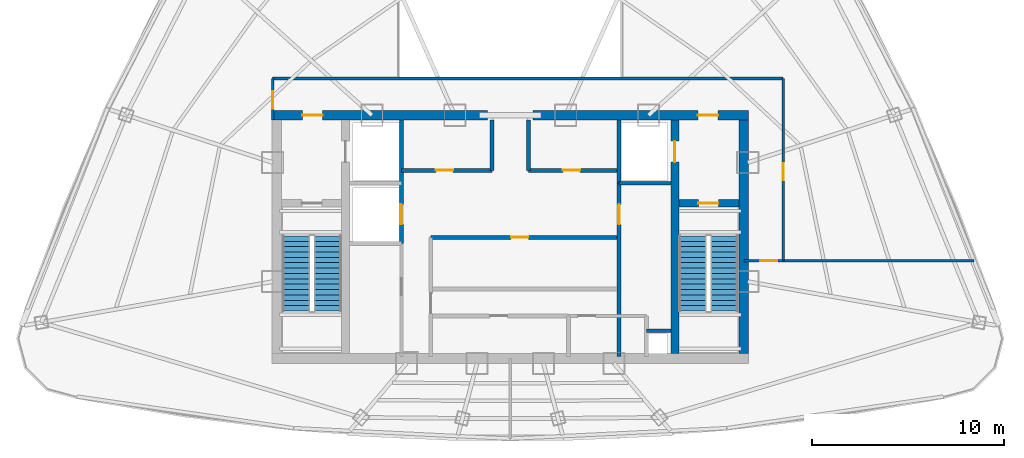
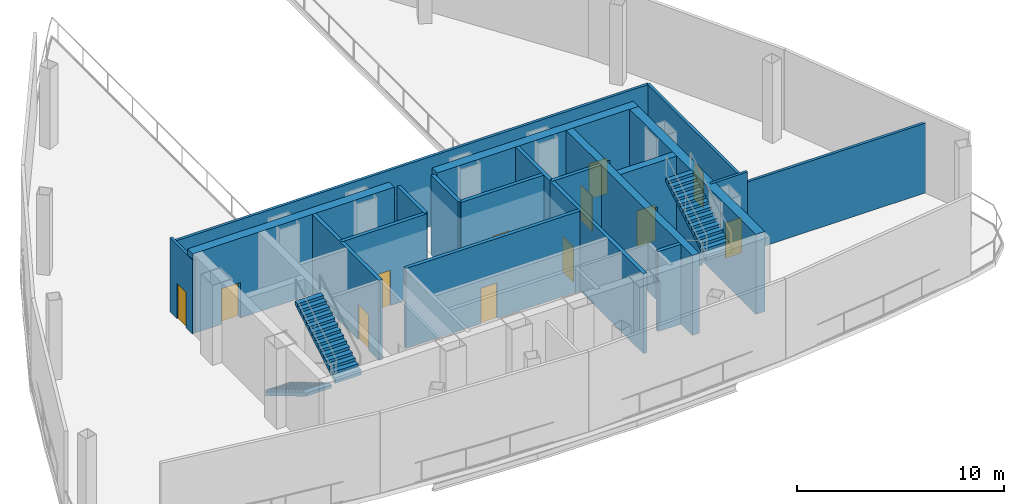
# One storey, part 3 of 6: 20 walls, 12 doors, 4 stair flights, 12 openings, 2 elements without a shape of their own.
"""IFC4 building model written with IfcOpenShell, lengths in metres."""

from ifc_helpers import new_model, si_unit, direction, frame, frame_2d, origin, origin_with_axes, place, context, subcontext, project, spatial, polyline, rectangle, outline, extrude, source, transform, mapped, material, layer, layer_set, type_object, element, fill, aggregate, save


model = new_model("IFC4")

# Units and contexts
model_context = context("Model", 3, precision=1e-05, world=origin(), true_north=direction((0.0, 1.0)))
body_context = subcontext(model_context, "Body", "Model", "MODEL_VIEW")
ifc_project = project(units=[si_unit("LENGTHUNIT", "METRE"), si_unit("AREAUNIT", "SQUARE_METRE"), si_unit("VOLUMEUNIT", "CUBIC_METRE"), si_unit("PLANEANGLEUNIT", "RADIAN"), si_unit("MASSUNIT", "GRAM", prefix="KILO"), si_unit("THERMODYNAMICTEMPERATUREUNIT", "KELVIN"), si_unit("POWERUNIT", "WATT")], contexts=[model_context])

# Site, building, storey
site_placement = place(None, origin())
site = spatial("IfcSite", under=ifc_project, at=site_placement, CompositionType="ELEMENT")
building_placement = place(site_placement, origin())
building = spatial("IfcBuilding", under=site, at=building_placement, Name="Yunzhuo Pagoda Commons", CompositionType="ELEMENT")
storey_placement = place(building_placement, frame((0.0, 0.0, 381.760009765625)))
storey = spatial("IfcBuildingStorey", under=building, at=storey_placement, Name="L95", CompositionType="ELEMENT", Elevation=381.760009765625)

# Wall, opening, door
ifc_material_1 = material(Name="Concrete C50", Category="concrete")
ifc_layer_1 = layer(ifc_material_1, 0.5)
ifc_layer_set_1 = layer_set([ifc_layer_1], Name="Concrete C50")
wall_type_1 = type_object("IfcWallType", Name="W-C03 Upper Core Shear Wall 500", PredefinedType="SHEAR", material=ifc_layer_set_1)
wall_1_placement = place(storey_placement, frame((35.550048828125, 40.199951171875, 0.0), z_axis=(0.0, 0.0, 1.0), x_axis=(1.0, 0.0, 0.0)))
wall_1 = element("IfcWall", 1, at=wall_1_placement, inside=storey, type_object=wall_type_1, Name="L95 core shear wall NW", PredefinedType="SHEAR", context=body_context, shape_type="SweptSolid", body=[
    extrude(rectangle(XDim=11.25, YDim=0.5, at=frame_2d((5.625, 0.0))), origin(), (0.0, 0.0, 1.0), 4.719970703125),
])
opening_1_placement = place(wall_1_placement, frame((1.60009765625, 0.0, 0.0)))
opening_1 = element("IfcOpeningElement", 2, at=opening_1_placement, cuts=wall_1, Name="Opening D-02", PredefinedType="OPENING", context=body_context, shape_type="SweptSolid", body=[
    extrude(rectangle(XDim=1.050048828125, YDim=2.10009765625, at=frame_2d((0.52490234375, 1.050048828125))), frame((0.0, 0.260009765625, 0.0), z_axis=(0.0, -1.0, 0.0), x_axis=(1.0, 0.0, 0.0)), (0.0, 0.0, 1.0), 0.52001953125),
])
ifc_material_2 = material(Name="Galvanized fire-resisting metal leaf")
door_type_1 = type_object("IfcDoorType", Name="D-02 Firefighting Lobby & Refuge Fire Door 1050x2100", OperationType="NOTDEFINED", PredefinedType="DOOR", material=ifc_material_2)
shared_shape_1 = source(origin(), body_context, "Body", "SweptSolid", [
    extrude(rectangle(XDim=1.050048828125, YDim=2.10009765625, at=frame_2d((0.52490234375, 1.050048828125))), frame((0.0, 0.02490234375, 0.0), z_axis=(0.0, -1.0, 0.0), x_axis=(1.0, 0.0, 0.0)), (0.0, 0.0, 1.0), 0.050048828125),
])
door_1_placement = place(opening_1_placement, frame((1.050048828125, 0.0, 0.0), z_axis=(0.0, 0.0, 1.0), x_axis=(-1.0, 0.0, 0.0)))
door_1 = element("IfcDoor", 3, at=door_1_placement, inside=storey, type_object=door_type_1, Name="L95 Firefighting Lobby 1 fire door", OperationType="SINGLE_SWING_LEFT", OverallHeight=2.10009765625, OverallWidth=1.050048828125, PredefinedType="DOOR", context=body_context, shape_type="MappedRepresentation", body=[
    mapped(shared_shape_1, transform((0.0, 0.0, 0.0), scale=1.0)),
])
fill(opening_1, door_1)

wall_2_placement = place(storey_placement, frame((49.199951171875, 40.199951171875, 0.0), z_axis=(0.0, 0.0, 1.0), x_axis=(1.0, 0.0, 0.0)))
wall_2 = element("IfcWall", 4, at=wall_2_placement, inside=storey, type_object=wall_type_1, Name="L95 core shear wall NE", PredefinedType="SHEAR", context=body_context, shape_type="SweptSolid", body=[
    extrude(rectangle(XDim=11.25, YDim=0.5, at=frame_2d((5.625, 0.0))), origin(), (0.0, 0.0, 1.0), 4.719970703125),
])
opening_2_placement = place(wall_2_placement, frame((8.60009765625, 0.0, 0.0)))
opening_2 = element("IfcOpeningElement", 5, at=opening_2_placement, cuts=wall_2, Name="Opening D-02", PredefinedType="OPENING", context=body_context, shape_type="SweptSolid", body=[
    extrude(rectangle(XDim=1.050048828125, YDim=2.10009765625, at=frame_2d((0.52490234375, 1.050048828125))), frame((0.0, 0.260009765625, 0.0), z_axis=(0.0, -1.0, 0.0), x_axis=(1.0, 0.0, 0.0)), (0.0, 0.0, 1.0), 0.52001953125),
])
door_2_placement = place(opening_2_placement, frame((1.050048828125, 0.0, 0.0), z_axis=(0.0, 0.0, 1.0), x_axis=(-1.0, 0.0, 0.0)))
door_2 = element("IfcDoor", 6, at=door_2_placement, inside=storey, type_object=door_type_1, Name="L95 Firefighting Lobby 2 fire door", OperationType="SINGLE_SWING_RIGHT", OverallHeight=2.10009765625, OverallWidth=1.050048828125, PredefinedType="DOOR", context=body_context, shape_type="MappedRepresentation", body=[
    mapped(shared_shape_1, transform((0.0, 0.0, 0.0), scale=1.0)),
])
fill(opening_2, door_2)

# Wall
wall_3_placement = place(storey_placement, frame((60.199951171875, 27.75, 0.0), z_axis=(0.0, 0.0, 1.0), x_axis=(0.0, 1.0, 0.0)))
element("IfcWall", 7, at=wall_3_placement, inside=storey, type_object=wall_type_1, Name="L95 core shear wall E", PredefinedType="SHEAR", context=body_context, shape_type="SweptSolid", body=[
    extrude(rectangle(XDim=12.199951171875, YDim=0.5, at=frame_2d((6.10009765625, 0.0))), origin(), (0.0, 0.0, 1.0), 4.719970703125),
])

# Wall, opening, door
ifc_material_3 = material(Name="Gypsum plasterboard on acoustic stud")
ifc_layer_2 = layer(ifc_material_3, 0.14990234375)
ifc_layer_set_2 = layer_set([ifc_layer_2], Name="Gypsum plasterboard on acoustic stud")
wall_type_2 = type_object("IfcWallType", Name="W-COR3 High-Zone Rated Corridor Wall 150", PredefinedType="PARTITIONING", material=ifc_layer_set_2)
wall_4_placement = place(storey_placement, frame((35.60009765625, 39.949951171875, 0.0), z_axis=(0.0, 0.0, 1.0), x_axis=(0.0, 1.0, 0.0)))
wall_4 = element("IfcWall", 8, at=wall_4_placement, inside=storey, type_object=wall_type_2, Name="L95 interior wall IW-L95-WPW", PredefinedType="PARTITIONING", context=body_context, shape_type="SweptSolid", body=[
    extrude(rectangle(XDim=2.170166015625, YDim=0.14990234375, at=frame_2d((1.0849609375, 0.0))), origin(), (0.0, 0.0, 1.0), 4.369873046875),
])
opening_3_placement = place(wall_4_placement, frame((0.60009765625, 0.0, 0.0)))
opening_3 = element("IfcOpeningElement", 9, at=opening_3_placement, cuts=wall_4, Name="Opening D-03", PredefinedType="OPENING", context=body_context, shape_type="SweptSolid", body=[
    extrude(rectangle(XDim=0.89990234375, YDim=2.10009765625, at=frame_2d((0.449951171875, 1.050048828125))), frame((0.0, 0.0849609375, 0.0), z_axis=(0.0, -1.0, 0.0), x_axis=(1.0, 0.0, 0.0)), (0.0, 0.0, 1.0), 0.169921875),
])
door_type_2 = type_object("IfcDoorType", Name="D-03 Core Service Fire Door 900x2100", OperationType="NOTDEFINED", PredefinedType="DOOR", material=ifc_material_2)
shared_shape_2 = source(origin(), body_context, "Body", "SweptSolid", [
    extrude(rectangle(XDim=0.89990234375, YDim=2.10009765625, at=frame_2d((0.449951171875, 1.050048828125))), frame((0.0, 0.02490234375, 0.0), z_axis=(0.0, -1.0, 0.0), x_axis=(1.0, 0.0, 0.0)), (0.0, 0.0, 1.0), 0.050048828125),
])
door_3_placement = place(opening_3_placement, origin_with_axes())
door_3 = element("IfcDoor", 10, at=door_3_placement, inside=storey, type_object=door_type_2, Name="L95 machine room door", OperationType="SINGLE_SWING_LEFT", OverallHeight=2.10009765625, OverallWidth=0.89990234375, PredefinedType="DOOR", context=body_context, shape_type="MappedRepresentation", body=[
    mapped(shared_shape_2, transform((0.0, 0.0, 0.0), scale=1.0)),
])
fill(opening_3, door_3)

# Wall
wall_5_placement = place(storey_placement, frame((35.60009765625, 42.1201171875, 0.0), z_axis=(0.0, 0.0, 1.0), x_axis=(1.0, 0.0, 0.0)))
element("IfcWall", 11, at=wall_5_placement, inside=storey, type_object=wall_type_2, Name="L95 interior wall IW-L95-WPN", PredefinedType="PARTITIONING", context=body_context, shape_type="SweptSolid", body=[
    extrude(rectangle(XDim=26.64990234375, YDim=0.14990234375, at=frame_2d((13.324951171875, 0.0))), origin(), (0.0, 0.0, 1.0), 4.119873046875),
])

# Wall, opening, door
wall_6_placement = place(storey_placement, frame((62.25, 32.60009765625, 0.0), z_axis=(0.0, 0.0, 1.0), x_axis=(0.0, 1.0, 0.0)))
wall_6 = element("IfcWall", 12, at=wall_6_placement, inside=storey, type_object=wall_type_2, Name="L95 interior wall IW-L95-WPE1", PredefinedType="PARTITIONING", context=body_context, shape_type="SweptSolid", body=[
    extrude(rectangle(XDim=9.52001953125, YDim=0.14990234375, at=frame_2d((4.760009765625, 0.0))), origin(), (0.0, 0.0, 1.0), 4.119873046875),
])
opening_4_placement = place(wall_6_placement, frame((4.199951171875, 0.0, 0.0)))
opening_4 = element("IfcOpeningElement", 13, at=opening_4_placement, cuts=wall_6, Name="Opening D-03", PredefinedType="OPENING", context=body_context, shape_type="SweptSolid", body=[
    extrude(rectangle(XDim=0.89990234375, YDim=2.10009765625, at=frame_2d((0.449951171875, 1.050048828125))), frame((0.0, 0.0849609375, 0.0), z_axis=(0.0, -1.0, 0.0), x_axis=(1.0, 0.0, 0.0)), (0.0, 0.0, 1.0), 0.169921875),
])
door_4_placement = place(opening_4_placement, frame((0.89990234375, 0.0, 0.0), z_axis=(0.0, 0.0, 1.0), x_axis=(-1.0, 0.0, 0.0)))
door_4 = element("IfcDoor", 14, at=door_4_placement, inside=storey, type_object=door_type_2, Name="L95 exhaust plant door", OperationType="SINGLE_SWING_RIGHT", OverallHeight=2.10009765625, OverallWidth=0.89990234375, PredefinedType="DOOR", context=body_context, shape_type="MappedRepresentation", body=[
    mapped(shared_shape_2, transform((0.0, 0.0, 0.0), scale=1.0)),
])
fill(opening_4, door_4)

wall_7_placement = place(storey_placement, frame((60.199951171875, 32.60009765625, 0.0), z_axis=(0.0, 0.0, 1.0), x_axis=(1.0, 0.0, 0.0)))
wall_7 = element("IfcWall", 15, at=wall_7_placement, inside=storey, type_object=wall_type_2, Name="L95 interior wall IW-L95-WPES", PredefinedType="PARTITIONING", context=body_context, shape_type="SweptSolid", body=[
    extrude(rectangle(XDim=2.050048828125, YDim=0.14990234375, at=frame_2d((1.02490234375, 0.0))), origin(), (0.0, 0.0, 1.0), 4.719970703125),
])
opening_5_placement = place(wall_7_placement, frame((0.85107421875, 0.0, 0.0)))
opening_5 = element("IfcOpeningElement", 16, at=opening_5_placement, cuts=wall_7, Name="Opening D-03", PredefinedType="OPENING", context=body_context, shape_type="SweptSolid", body=[
    extrude(rectangle(XDim=0.89990234375, YDim=2.10009765625, at=frame_2d((0.449951171875, 1.050048828125))), frame((0.0, 0.0849609375, 0.0), z_axis=(0.0, -1.0, 0.0), x_axis=(1.0, 0.0, 0.0)), (0.0, 0.0, 1.0), 0.169921875),
])
door_5_placement = place(opening_5_placement, origin_with_axes())
door_5 = element("IfcDoor", 17, at=door_5_placement, inside=storey, type_object=door_type_2, Name="L95 switchgear plant door", OperationType="SINGLE_SWING_RIGHT", OverallHeight=2.10009765625, OverallWidth=0.89990234375, PredefinedType="DOOR", context=body_context, shape_type="MappedRepresentation", body=[
    mapped(shared_shape_2, transform((0.0, 0.0, 0.0), scale=1.0)),
])
fill(opening_5, door_5)

# Wall
wall_8_placement = place(storey_placement, frame((62.25, 32.60009765625, 0.0), z_axis=(0.0, 0.0, 1.0), x_axis=(1.0, 0.0, 0.0)))
element("IfcWall", 18, at=wall_8_placement, inside=storey, type_object=wall_type_2, Name="L95 interior wall IW-L95-WPEDIV", PredefinedType="PARTITIONING", context=body_context, shape_type="SweptSolid", body=[
    extrude(rectangle(XDim=9.97021484375, YDim=0.14990234375, at=frame_2d((4.985107421875, 0.0))), origin(), (0.0, 0.0, 1.0), 4.119873046875),
])

# Wall, opening, door
ifc_material_4 = material(Name="Concrete C60", Category="concrete")
ifc_layer_3 = layer(ifc_material_4, 0.39990234375)
ifc_layer_set_3 = layer_set([ifc_layer_3], Name="Concrete C60")
wall_type_3 = type_object("IfcWallType", Name="W-S01 Internal Core Shear Web 400", PredefinedType="SHEAR", material=ifc_layer_set_3)
wall_9_placement = place(storey_placement, frame((56.60009765625, 27.75, 0.0), z_axis=(0.0, 0.0, 1.0), x_axis=(0.0, 1.0, 0.0)))
wall_9 = element("IfcWall", 19, at=wall_9_placement, inside=storey, type_object=wall_type_3, Name="L95 core shear wall WEBE", PredefinedType="SHEAR", context=body_context, shape_type="SweptSolid", body=[
    extrude(rectangle(XDim=12.199951171875, YDim=0.39990234375, at=frame_2d((6.10009765625, 0.0))), origin(), (0.0, 0.0, 1.0), 4.719970703125),
])
opening_6_placement = place(wall_9_placement, frame((10.0, 0.0, 0.0)))
opening_6 = element("IfcOpeningElement", 20, at=opening_6_placement, cuts=wall_9, Name="Opening LD-01", PredefinedType="OPENING", context=body_context, shape_type="SweptSolid", body=[
    extrude(rectangle(XDim=1.10009765625, YDim=2.10009765625, at=frame_2d((0.550048828125, 1.050048828125))), frame((0.0, 0.2099609375, 0.0), z_axis=(0.0, -1.0, 0.0), x_axis=(1.0, 0.0, 0.0)), (0.0, 0.0, 1.0), 0.419921875),
])
door_type_3 = type_object("IfcDoorType", Name="LD-01 Firefighting Lift Landing Door 1100x2100", OperationType="DOUBLE_DOOR_SLIDING", PredefinedType="DOOR", material=ifc_material_2)
shared_shape_3 = source(origin(), body_context, "Body", "SweptSolid", [
    extrude(rectangle(XDim=1.10009765625, YDim=2.10009765625, at=frame_2d((0.550048828125, 1.050048828125))), frame((0.0, 0.02490234375, 0.0), z_axis=(0.0, -1.0, 0.0), x_axis=(1.0, 0.0, 0.0)), (0.0, 0.0, 1.0), 0.050048828125),
])
door_6_placement = place(opening_6_placement, origin_with_axes())
door_6 = element("IfcDoor", 21, at=door_6_placement, inside=storey, type_object=door_type_3, Name="L95 Firefighting lift FL-2 landing door", OperationType="DOUBLE_DOOR_SLIDING", OverallHeight=2.10009765625, OverallWidth=1.10009765625, PredefinedType="DOOR", context=body_context, shape_type="MappedRepresentation", body=[
    mapped(shared_shape_3, transform((0.0, 0.0, 0.0), scale=1.0)),
])
fill(opening_6, door_6)

wall_10_placement = place(storey_placement, frame((56.800048828125, 35.60009765625, 0.0), z_axis=(0.0, 0.0, 1.0), x_axis=(1.0, 0.0, 0.0)))
wall_10 = element("IfcWall", 22, at=wall_10_placement, inside=storey, type_object=wall_type_3, Name="L95 core shear wall STE", PredefinedType="SHEAR", context=body_context, shape_type="SweptSolid", body=[
    extrude(rectangle(XDim=3.14990234375, YDim=0.39990234375, at=frame_2d((1.574951171875, 0.0))), origin(), (0.0, 0.0, 1.0), 4.719970703125),
])
opening_7_placement = place(wall_10_placement, frame((1.02001953125, 0.0, 0.0)))
opening_7 = element("IfcOpeningElement", 23, at=opening_7_placement, cuts=wall_10, Name="Opening D-01", PredefinedType="OPENING", context=body_context, shape_type="SweptSolid", body=[
    extrude(rectangle(XDim=1.050048828125, YDim=2.10009765625, at=frame_2d((0.52490234375, 1.050048828125))), frame((0.0, 0.2099609375, 0.0), z_axis=(0.0, -1.0, 0.0), x_axis=(1.0, 0.0, 0.0)), (0.0, 0.0, 1.0), 0.419921875),
])
door_type_4 = type_object("IfcDoorType", Name="D-01 Smokeproof Stair Fire Door 1050x2100", OperationType="NOTDEFINED", PredefinedType="DOOR", material=ifc_material_2)
door_7_placement = place(opening_7_placement, frame((1.050048828125, 0.0, 0.0), z_axis=(0.0, 0.0, 1.0), x_axis=(-1.0, 0.0, 0.0)))
door_7 = element("IfcDoor", 24, at=door_7_placement, inside=storey, type_object=door_type_4, Name="L95 Stair ST2 fire door", OperationType="SINGLE_SWING_RIGHT", OverallHeight=2.10009765625, OverallWidth=1.050048828125, PredefinedType="DOOR", context=body_context, shape_type="MappedRepresentation", body=[
    mapped(shared_shape_1, transform((0.0, 0.0, 0.0), scale=1.0)),
])
fill(opening_7, door_7)

ifc_material_5 = material(Name="Concrete C40", Category="concrete")
ifc_layer_4 = layer(ifc_material_5, 0.199951171875)
ifc_layer_set_4 = layer_set([ifc_layer_4], Name="Concrete C40")
wall_type_4 = type_object("IfcWallType", Name="W-SHF Shaft & Stair Enclosure Wall 200", PredefinedType="SOLIDWALL", material=ifc_layer_set_4)
wall_11_placement = place(storey_placement, frame((42.320068359375, 33.5, 0.0), z_axis=(0.0, 0.0, 1.0), x_axis=(0.0, 1.0, 0.0)))
wall_11 = element("IfcWall", 25, at=wall_11_placement, inside=storey, type_object=wall_type_4, Name="L95 interior wall IW-L95-FL1E", PredefinedType="SOLIDWALL", context=body_context, shape_type="SweptSolid", body=[
    extrude(rectangle(XDim=6.449951171875, YDim=0.199951171875, at=frame_2d((3.22509765625, 0.0))), origin(), (0.0, 0.0, 1.0), 4.719970703125),
])
opening_8_placement = place(wall_11_placement, frame((1.0, 0.0, 0.0)))
opening_8 = element("IfcOpeningElement", 26, at=opening_8_placement, cuts=wall_11, Name="Opening LD-02", PredefinedType="OPENING", context=body_context, shape_type="SweptSolid", body=[
    extrude(rectangle(XDim=1.050048828125, YDim=2.10009765625, at=frame_2d((0.52490234375, 1.050048828125))), frame((0.0, 0.10986328125, 0.0), z_axis=(0.0, -1.0, 0.0), x_axis=(1.0, 0.0, 0.0)), (0.0, 0.0, 1.0), 0.219970703125),
])
door_type_5 = type_object("IfcDoorType", Name="LD-02 Passenger Lift Landing Door 1050x2100", OperationType="DOUBLE_DOOR_SLIDING", PredefinedType="DOOR", material=ifc_material_2)
door_8_placement = place(opening_8_placement, origin_with_axes())
door_8 = element("IfcDoor", 27, at=door_8_placement, inside=storey, type_object=door_type_5, Name="L95 Service lift SL-1 landing door", OperationType="DOUBLE_DOOR_SLIDING", OverallHeight=2.10009765625, OverallWidth=1.050048828125, PredefinedType="DOOR", context=body_context, shape_type="MappedRepresentation", body=[
    mapped(shared_shape_1, transform((0.0, 0.0, 0.0), scale=1.0)),
])
fill(opening_8, door_8)

# Walls
wall_12_placement = place(storey_placement, frame((53.679931640625, 36.64990234375, 0.0), z_axis=(0.0, 0.0, 1.0), x_axis=(0.0, 1.0, 0.0)))
element("IfcWall", 28, at=wall_12_placement, inside=storey, type_object=wall_type_4, Name="L95 interior wall IW-L95-FL2W", PredefinedType="SOLIDWALL", context=body_context, shape_type="SweptSolid", body=[
    extrude(rectangle(XDim=3.300048828125, YDim=0.199951171875, at=frame_2d((1.64990234375, 0.0))), origin(), (0.0, 0.0, 1.0), 4.719970703125),
])
wall_13_placement = place(storey_placement, frame((53.679931640625, 36.64990234375, 0.0), z_axis=(0.0, 0.0, 1.0), x_axis=(1.0, 0.0, 0.0)))
element("IfcWall", 29, at=wall_13_placement, inside=storey, type_object=wall_type_4, Name="L95 interior wall IW-L95-FL2S", PredefinedType="SOLIDWALL", context=body_context, shape_type="SweptSolid", body=[
    extrude(rectangle(XDim=2.719970703125, YDim=0.199951171875, at=frame_2d((1.35986328125, 0.0))), origin(), (0.0, 0.0, 1.0), 4.719970703125),
])

# Wall, opening, door
wall_14_placement = place(storey_placement, frame((42.320068359375, 37.320068359375, 0.0), z_axis=(0.0, 0.0, 1.0), x_axis=(1.0, 0.0, 0.0)))
wall_14 = element("IfcWall", 30, at=wall_14_placement, inside=storey, type_object=wall_type_4, Name="L95 interior wall IW-L95-LBNW", PredefinedType="SOLIDWALL", context=body_context, shape_type="SweptSolid", body=[
    extrude(rectangle(XDim=4.72998046875, YDim=0.199951171875, at=frame_2d((2.364990234375, 0.0))), origin(), (0.0, 0.0, 1.0), 4.719970703125),
])
opening_9_placement = place(wall_14_placement, frame((1.800048828125, 0.0, 0.0)))
opening_9 = element("IfcOpeningElement", 31, at=opening_9_placement, cuts=wall_14, Name="Opening D-03", PredefinedType="OPENING", context=body_context, shape_type="SweptSolid", body=[
    extrude(rectangle(XDim=0.89990234375, YDim=2.10009765625, at=frame_2d((0.449951171875, 1.050048828125))), frame((0.0, 0.10986328125, 0.0), z_axis=(0.0, -1.0, 0.0), x_axis=(1.0, 0.0, 0.0)), (0.0, 0.0, 1.0), 0.219970703125),
])
door_9_placement = place(opening_9_placement, frame((0.89990234375, 0.0, 0.0), z_axis=(0.0, 0.0, 1.0), x_axis=(-1.0, 0.0, 0.0)))
door_9 = element("IfcDoor", 32, at=door_9_placement, inside=storey, type_object=door_type_2, Name="L95 core west store door", OperationType="SINGLE_SWING_LEFT", OverallHeight=2.10009765625, OverallWidth=0.89990234375, PredefinedType="DOOR", context=body_context, shape_type="MappedRepresentation", body=[
    mapped(shared_shape_2, transform((0.0, 0.0, 0.0), scale=1.0)),
])
fill(opening_9, door_9)

wall_15_placement = place(storey_placement, frame((48.949951171875, 37.320068359375, 0.0), z_axis=(0.0, 0.0, 1.0), x_axis=(1.0, 0.0, 0.0)))
wall_15 = element("IfcWall", 33, at=wall_15_placement, inside=storey, type_object=wall_type_4, Name="L95 interior wall IW-L95-LBNE", PredefinedType="SOLIDWALL", context=body_context, shape_type="SweptSolid", body=[
    extrude(rectangle(XDim=4.72998046875, YDim=0.199951171875, at=frame_2d((2.364990234375, 0.0))), origin(), (0.0, 0.0, 1.0), 4.719970703125),
])
opening_10_placement = place(wall_15_placement, frame((1.800048828125, 0.0, 0.0)))
opening_10 = element("IfcOpeningElement", 34, at=opening_10_placement, cuts=wall_15, Name="Opening D-03", PredefinedType="OPENING", context=body_context, shape_type="SweptSolid", body=[
    extrude(rectangle(XDim=0.89990234375, YDim=2.10009765625, at=frame_2d((0.449951171875, 1.050048828125))), frame((0.0, 0.10986328125, 0.0), z_axis=(0.0, -1.0, 0.0), x_axis=(1.0, 0.0, 0.0)), (0.0, 0.0, 1.0), 0.219970703125),
])
door_10_placement = place(opening_10_placement, frame((0.89990234375, 0.0, 0.0), z_axis=(0.0, 0.0, 1.0), x_axis=(-1.0, 0.0, 0.0)))
door_10 = element("IfcDoor", 35, at=door_10_placement, inside=storey, type_object=door_type_2, Name="L95 core east store door", OperationType="SINGLE_SWING_RIGHT", OverallHeight=2.10009765625, OverallWidth=0.89990234375, PredefinedType="DOOR", context=body_context, shape_type="MappedRepresentation", body=[
    mapped(shared_shape_2, transform((0.0, 0.0, 0.0), scale=1.0)),
])
fill(opening_10, door_10)

# Walls
for number, where, z_axis, x_axis, name in (
    (36, (47.050048828125, 37.320068359375, 0.0), (0.0, 0.0, 1.0), (0.0, 1.0, 0.0), "L95 interior wall IW-L95-THRW"),
    (37, (48.949951171875, 37.320068359375, 0.0), (0.0, 0.0, 1.0), (0.0, 1.0, 0.0), "L95 interior wall IW-L95-THRE"),
):
    element("IfcWall", number, at=place(storey_placement, frame(where, z_axis=z_axis, x_axis=x_axis)), inside=storey, type_object=wall_type_4, Name=name, PredefinedType="SOLIDWALL", context=body_context, shape_type="SweptSolid", body=[
        extrude(rectangle(XDim=2.6298828125, YDim=0.199951171875, at=frame_2d((1.31494140625, 0.0))), origin(), (0.0, 0.0, 1.0), 4.719970703125),
    ])

# Wall, opening, door
wall_16_placement = place(storey_placement, frame((43.85009765625, 33.820068359375, 0.0), z_axis=(0.0, 0.0, 1.0), x_axis=(1.0, 0.0, 0.0)))
wall_16 = element("IfcWall", 38, at=wall_16_placement, inside=storey, type_object=wall_type_4, Name="L95 interior wall IW-L95-MLBS", PredefinedType="SOLIDWALL", context=body_context, shape_type="SweptSolid", body=[
    extrude(rectangle(XDim=9.829833984375, YDim=0.199951171875, at=frame_2d((4.9150390625, 0.0))), origin(), (0.0, 0.0, 1.0), 4.719970703125),
])
opening_11_placement = place(wall_16_placement, frame((4.199951171875, 0.0, 0.0)))
opening_11 = element("IfcOpeningElement", 39, at=opening_11_placement, cuts=wall_16, Name="Opening D-03", PredefinedType="OPENING", context=body_context, shape_type="SweptSolid", body=[
    extrude(rectangle(XDim=0.89990234375, YDim=2.10009765625, at=frame_2d((0.449951171875, 1.050048828125))), frame((0.0, 0.10986328125, 0.0), z_axis=(0.0, -1.0, 0.0), x_axis=(1.0, 0.0, 0.0)), (0.0, 0.0, 1.0), 0.219970703125),
])
door_11_placement = place(opening_11_placement, origin_with_axes())
door_11 = element("IfcDoor", 40, at=door_11_placement, inside=storey, type_object=door_type_2, Name="L95 core archive store door", OperationType="SINGLE_SWING_LEFT", OverallHeight=2.10009765625, OverallWidth=0.89990234375, PredefinedType="DOOR", context=body_context, shape_type="MappedRepresentation", body=[
    mapped(shared_shape_2, transform((0.0, 0.0, 0.0), scale=1.0)),
])
fill(opening_11, door_11)

wall_17_placement = place(storey_placement, frame((53.679931640625, 27.60009765625, 0.0), z_axis=(0.0, 0.0, 1.0), x_axis=(0.0, 1.0, 0.0)))
wall_17 = element("IfcWall", 41, at=wall_17_placement, inside=storey, type_object=wall_type_4, Name="L95 interior wall IW-L95-PLME", PredefinedType="SOLIDWALL", context=body_context, shape_type="SweptSolid", body=[
    extrude(rectangle(XDim=9.0498046875, YDim=0.199951171875, at=frame_2d((4.52490234375, 0.0))), origin(), (0.0, 0.0, 1.0), 4.719970703125),
])
opening_12_placement = place(wall_17_placement, frame((6.89990234375, 0.0, 0.0)))
opening_12 = element("IfcOpeningElement", 42, at=opening_12_placement, cuts=wall_17, Name="Opening D-02", PredefinedType="OPENING", context=body_context, shape_type="SweptSolid", body=[
    extrude(rectangle(XDim=1.050048828125, YDim=2.10009765625, at=frame_2d((0.52490234375, 1.050048828125))), frame((0.0, 0.10986328125, 0.0), z_axis=(0.0, -1.0, 0.0), x_axis=(1.0, 0.0, 0.0)), (0.0, 0.0, 1.0), 0.219970703125),
])
door_12_placement = place(opening_12_placement, origin_with_axes())
door_12 = element("IfcDoor", 43, at=door_12_placement, inside=storey, type_object=door_type_1, Name="L95 High-bank lift hall door", OperationType="SINGLE_SWING_RIGHT", OverallHeight=2.10009765625, OverallWidth=1.050048828125, PredefinedType="DOOR", context=body_context, shape_type="MappedRepresentation", body=[
    mapped(shared_shape_1, transform((0.0, 0.0, 0.0), scale=1.0)),
])
fill(opening_12, door_12)

# Wall
wall_18_placement = place(storey_placement, frame((55.1201171875, 28.949951171875, 0.0), z_axis=(0.0, 0.0, 1.0), x_axis=(1.0, 0.0, 0.0)))
element("IfcWall", 44, at=wall_18_placement, inside=storey, type_object=wall_type_4, Name="L95 interior wall IW-L95-RSHFN", PredefinedType="SOLIDWALL", context=body_context, shape_type="SweptSolid", body=[
    extrude(rectangle(XDim=1.27978515625, YDim=0.199951171875, at=frame_2d((0.639892578125, 0.0))), origin(), (0.0, 0.0, 1.0), 4.719970703125),
])

# Stair, stair flights
stair_type_1 = type_object("IfcStairType", Name="ST-C1 Core Smokeproof Stair ST1", PredefinedType="HALF_TURN_STAIR", material=ifc_material_5)
stair_1_placement = place(storey_placement, origin())
stair_1 = element("IfcStair", 45, at=stair_1_placement, inside=storey, type_object=stair_type_1, Name="L95 Core smokeproof stair ST1", PredefinedType="HALF_TURN_STAIR")
stair_flight_type_1 = type_object("IfcStairFlightType", Name="STF-C1 Core Stair Flight 1450", PredefinedType="STRAIGHT", material=ifc_material_5)
shared_shape_4 = source(origin(), body_context, "Body", "SweptSolid", [
    extrude(outline(polyline([(0.0, -0.14990234375), (0.0, 0.0), (0.0, 0.166748046875), (0.280029296875, 0.166748046875), (0.280029296875, 0.333251953125), (0.56005859375, 0.333251953125), (0.56005859375, 0.5), (0.840087890625, 0.5), (0.840087890625, 0.666748046875), (1.1201171875, 0.666748046875), (1.1201171875, 0.833251953125), (1.39990234375, 0.833251953125), (1.39990234375, 1.0), (1.679931640625, 1.0), (1.679931640625, 1.166748046875), (1.9599609375, 1.166748046875), (1.9599609375, 1.333251953125), (2.239990234375, 1.333251953125), (2.239990234375, 1.5), (2.52001953125, 1.5), (2.52001953125, 1.666748046875), (2.800048828125, 1.666748046875), (2.800048828125, 1.833251953125), (3.080078125, 1.833251953125), (3.080078125, 2.0), (3.360107421875, 2.0), (3.360107421875, 2.166748046875), (3.639892578125, 2.166748046875), (3.639892578125, 2.333251953125), (3.919921875, 2.333251953125), (3.919921875, 2.5), (3.919921875, 2.158935546875), (0.29296875, 0.0), (0.050048828125, -0.14990234375), (0.0, -0.14990234375)])), frame((0.0, 0.72509765625, 0.0), z_axis=(0.0, -1.0, 0.0), x_axis=(1.0, 0.0, 0.0)), (0.0, 0.0, 1.0), 1.449951171875),
])
stair_flight_1_placement = place(storey_placement, frame((36.824951171875, 33.89990234375, 0.0), z_axis=(0.0, 0.0, 1.0), x_axis=(0.0, -1.0, 0.0)))
stair_flight_1 = element("IfcStairFlight", 46, at=stair_flight_1_placement, type_object=stair_flight_type_1, Name="ST1 flight 1", NumberOfRisers=15, NumberOfTreads=14, PredefinedType="STRAIGHT", RiserHeight=0.166666667, TreadLength=0.28, context=body_context, shape_type="MappedRepresentation", body=[
    mapped(shared_shape_4, transform((0.0, 0.0, 0.0), scale=1.0)),
])
stair_flight_2_placement = place(storey_placement, frame((38.47509765625, 29.97998046875, 2.5), z_axis=(0.0, 0.0, 1.0), x_axis=(0.0, 1.0, 0.0)))
stair_flight_2 = element("IfcStairFlight", 47, at=stair_flight_2_placement, type_object=stair_flight_type_1, Name="ST1 flight 2", NumberOfRisers=15, NumberOfTreads=14, PredefinedType="STRAIGHT", RiserHeight=0.166666667, TreadLength=0.28, context=body_context, shape_type="MappedRepresentation", body=[
    mapped(shared_shape_4, transform((0.0, 0.0, 0.0), scale=1.0)),
])
aggregate(stair_1, [stair_flight_1, stair_flight_2])

stair_type_2 = type_object("IfcStairType", Name="ST-C2 Core Smokeproof Stair ST2", PredefinedType="HALF_TURN_STAIR", material=ifc_material_5)
stair_2_placement = place(storey_placement, origin())
stair_2 = element("IfcStair", 48, at=stair_2_placement, inside=storey, type_object=stair_type_2, Name="L95 Core smokeproof stair ST2", PredefinedType="HALF_TURN_STAIR")
stair_flight_type_2 = type_object("IfcStairFlightType", Name="STF-C2 Core Stair Flight 1460", PredefinedType="STRAIGHT", material=ifc_material_5)
stair_flight_3_placement = place(storey_placement, frame((57.52490234375, 33.89990234375, 0.0), z_axis=(0.0, 0.0, 1.0), x_axis=(0.0, -1.0, 0.0)))
stair_flight_3 = element("IfcStairFlight", 49, at=stair_flight_3_placement, type_object=stair_flight_type_2, Name="ST2 flight 1", NumberOfRisers=15, NumberOfTreads=14, PredefinedType="STRAIGHT", RiserHeight=0.166666667, TreadLength=0.28, context=body_context, shape_type="MappedRepresentation", body=[
    mapped(shared_shape_4, transform((0.0, 0.0, 0.0), scale=1.0)),
])
stair_flight_4_placement = place(storey_placement, frame((59.175048828125, 29.97998046875, 2.5), z_axis=(0.0, 0.0, 1.0), x_axis=(0.0, 1.0, 0.0)))
stair_flight_4 = element("IfcStairFlight", 50, at=stair_flight_4_placement, type_object=stair_flight_type_2, Name="ST2 flight 2", NumberOfRisers=15, NumberOfTreads=14, PredefinedType="STRAIGHT", RiserHeight=0.166666667, TreadLength=0.28, context=body_context, shape_type="MappedRepresentation", body=[
    mapped(shared_shape_4, transform((0.0, 0.0, 0.0), scale=1.0)),
])
aggregate(stair_2, [stair_flight_3, stair_flight_4])

save(model, "model.ifc")
